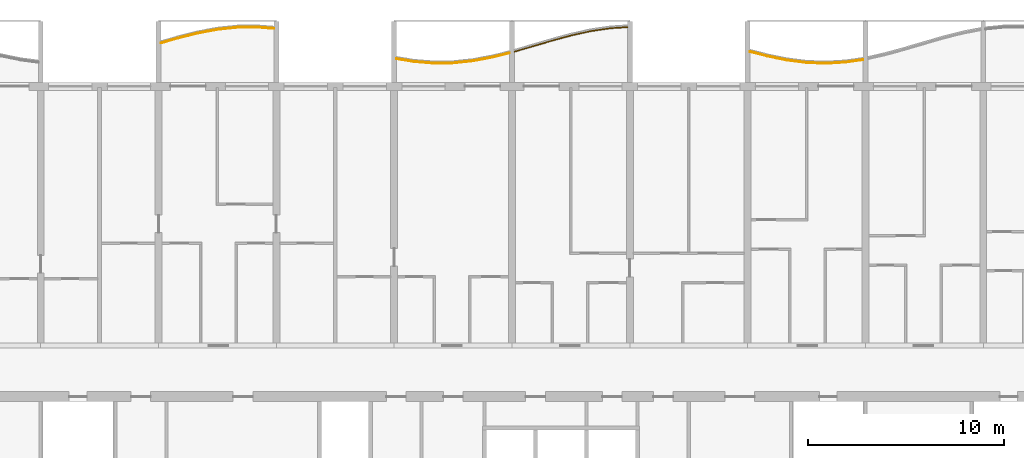
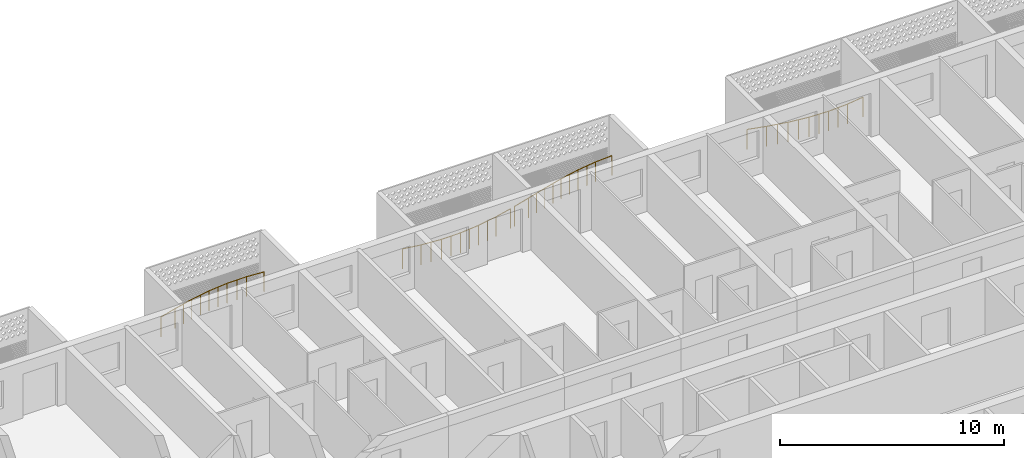
# One storey, part 20 of 27: 4 railings.
"""IFC4 building model written with IfcOpenShell, lengths in metres."""

from ifc_helpers import new_model, si_unit, direction, frame, origin, origin_2d, place, context, subcontext, project, spatial, circle, extrude, material, type_object, element, save


model = new_model("IFC4")

# Units and contexts
model_context = context("Model", 3, precision=1e-05, world=origin(), true_north=direction((0.0, 1.0)))
body_context = subcontext(model_context, "Body", "Model", "MODEL_VIEW")
ifc_project = project(units=[si_unit("LENGTHUNIT", "METRE"), si_unit("AREAUNIT", "SQUARE_METRE"), si_unit("VOLUMEUNIT", "CUBIC_METRE"), si_unit("PLANEANGLEUNIT", "RADIAN"), si_unit("MASSUNIT", "GRAM", prefix="KILO")], contexts=[model_context])

# Site, building, storey
site_placement = place(None, origin())
site = spatial("IfcSite", under=ifc_project, at=site_placement, CompositionType="ELEMENT")
building_placement = place(site_placement, origin())
building = spatial("IfcBuilding", under=site, at=building_placement, Name="Poui Terraces", CompositionType="ELEMENT")
storey_placement = place(building_placement, frame((0.0, 0.0, 92.699951171875)))
storey = spatial("IfcBuildingStorey", under=building, at=storey_placement, Name="L25", CompositionType="ELEMENT", Elevation=92.699951171875)

# Railings
ifc_material = material(Name="Painted steel fretwork", Category="steel")
railing_type = type_object("IfcRailingType", Name="BALCONY GUARD 1100", PredefinedType="GUARDRAIL", material=ifc_material)
railing_1_placement = place(storey_placement, frame((36.125, 45.806396484375, 0.0)))
element("IfcRailing", 1, at=railing_1_placement, inside=storey, type_object=railing_type, Name="BALCONY GUARD", PredefinedType="GUARDRAIL", context=body_context, shape_type="SweptSolid", body=[
    extrude(circle(Radius=0.02392578125, at=origin_2d()), frame((0.0, 0.0, 1.076171875), z_axis=(0.961168944086, 0.275960614806, 0.0), x_axis=(-0.275960614806, 0.961168944086, 0.0)), (0.0, 0.0, 1.0), 0.910400390625),
    extrude(circle(Radius=0.02392578125, at=origin_2d()), frame((0.875, 0.251220703125, 1.076171875), z_axis=(0.969975109493, 0.243204208362, 0.0), x_axis=(-0.243204208362, 0.969975109493, 0.0)), (0.0, 0.0, 1.0), 1.031005859375),
    extrude(circle(Radius=0.02392578125, at=origin_2d()), frame((1.875, 0.501953125, 1.076171875), z_axis=(0.982828697247, 0.184520329146, 0.0), x_axis=(-0.184520329146, 0.982828697247, 0.0)), (0.0, 0.0, 1.0), 1.017578125),
    extrude(circle(Radius=0.02392578125, at=origin_2d()), frame((2.875, 0.689697265625, 1.076171875), z_axis=(0.994509443434, 0.104646867705, 0.0), x_axis=(-0.104646867705, 0.994509443434, 0.0)), (0.0, 0.0, 1.0), 1.005615234375),
    extrude(circle(Radius=0.02392578125, at=origin_2d()), frame((3.875, 0.794921875, 1.076171875), z_axis=(0.999928452303, 0.011962034708, 0.0), x_axis=(-0.011962034708, 0.999928452303, 0.0)), (0.0, 0.0, 1.0), 1.0),
    extrude(circle(Radius=0.02392578125, at=origin_2d()), frame((4.875, 0.806884765625, 1.076171875), z_axis=(0.997047936125, -0.076781593295, 0.0), x_axis=(0.076781593295, 0.997047936125, 0.0)), (0.0, 0.0, 1.0), 0.877685546875),
    extrude(circle(Radius=0.02099609375, at=origin_2d()), origin(), (0.0, 0.0, 1.0), 1.052001953125),
    extrude(circle(Radius=0.02099609375, at=origin_2d()), frame((0.875, 0.251220703125, 0.0)), (0.0, 0.0, 1.0), 1.052001953125),
    extrude(circle(Radius=0.02099609375, at=origin_2d()), frame((1.375, 0.37646484375, 0.0)), (0.0, 0.0, 1.0), 1.052001953125),
    extrude(circle(Radius=0.02099609375, at=origin_2d()), frame((1.875, 0.501953125, 0.0)), (0.0, 0.0, 1.0), 1.052001953125),
    extrude(circle(Radius=0.02099609375, at=origin_2d()), frame((2.375, 0.595703125, 0.0)), (0.0, 0.0, 1.0), 1.052001953125),
    extrude(circle(Radius=0.02099609375, at=origin_2d()), frame((2.875, 0.689697265625, 0.0)), (0.0, 0.0, 1.0), 1.052001953125),
    extrude(circle(Radius=0.02099609375, at=origin_2d()), frame((3.375, 0.7421875, 0.0)), (0.0, 0.0, 1.0), 1.052001953125),
    extrude(circle(Radius=0.02099609375, at=origin_2d()), frame((3.875, 0.794921875, 0.0)), (0.0, 0.0, 1.0), 1.052001953125),
    extrude(circle(Radius=0.02099609375, at=origin_2d()), frame((4.375, 0.80078125, 0.0)), (0.0, 0.0, 1.0), 1.052001953125),
    extrude(circle(Radius=0.02099609375, at=origin_2d()), frame((4.875, 0.806884765625, 0.0)), (0.0, 0.0, 1.0), 1.052001953125),
    extrude(circle(Radius=0.02099609375, at=origin_2d()), frame((5.75, 0.739501953125, 0.0)), (0.0, 0.0, 1.0), 1.052001953125),
])
railing_2_placement = place(storey_placement, frame((48.125, 45.002685546875, 0.0)))
element("IfcRailing", 2, at=railing_2_placement, inside=storey, type_object=railing_type, Name="BALCONY GUARD", PredefinedType="GUARDRAIL", context=body_context, shape_type="SweptSolid", body=[
    extrude(circle(Radius=0.02392578125, at=origin_2d()), frame((0.0, 0.0, 1.076171875), z_axis=(0.986851434927, -0.16162996437, 0.0), x_axis=(0.16162996437, 0.986851434927, 0.0)), (0.0, 0.0, 1.0), 0.88671875),
    extrude(circle(Radius=0.02392578125, at=origin_2d()), frame((0.875, -0.143310546875, 1.076171875), z_axis=(0.996592582512, -0.082481661492, 0.0), x_axis=(0.082481661492, 0.996592582512, 0.0)), (0.0, 0.0, 1.0), 1.00341796875),
    extrude(circle(Radius=0.02392578125, at=origin_2d()), frame((1.875, -0.22607421875, 1.076171875), z_axis=(0.99992550252, 0.012206121857, 0.0), x_axis=(-0.012206121857, 0.99992550252, 0.0)), (0.0, 0.0, 1.0), 1.0),
    extrude(circle(Radius=0.02392578125, at=origin_2d()), frame((2.875, -0.2138671875, 1.076171875), z_axis=(0.994534683851, 0.104406717299, 0.0), x_axis=(-0.104406717299, 0.994534683851, 0.0)), (0.0, 0.0, 1.0), 1.005615234375),
    extrude(circle(Radius=0.02392578125, at=origin_2d()), frame((3.875, -0.10888671875, 1.076171875), z_axis=(0.982828697247, 0.184520329146, 0.0), x_axis=(-0.184520329146, 0.982828697247, 0.0)), (0.0, 0.0, 1.0), 1.017578125),
    extrude(circle(Radius=0.02392578125, at=origin_2d()), frame((4.875, 0.078857421875, 1.076171875), z_axis=(0.970586901308, 0.240751047785, 0.0), x_axis=(-0.240751047785, 0.970586901308, 0.0)), (0.0, 0.0, 1.0), 0.901611328125),
    extrude(circle(Radius=0.02099609375, at=origin_2d()), origin(), (0.0, 0.0, 1.0), 1.052001953125),
    extrude(circle(Radius=0.02099609375, at=origin_2d()), frame((0.875, -0.143310546875, 0.0)), (0.0, 0.0, 1.0), 1.052001953125),
    extrude(circle(Radius=0.02099609375, at=origin_2d()), frame((1.375, -0.1845703125, 0.0)), (0.0, 0.0, 1.0), 1.052001953125),
    extrude(circle(Radius=0.02099609375, at=origin_2d()), frame((1.875, -0.22607421875, 0.0)), (0.0, 0.0, 1.0), 1.052001953125),
    extrude(circle(Radius=0.02099609375, at=origin_2d()), frame((2.375, -0.219970703125, 0.0)), (0.0, 0.0, 1.0), 1.052001953125),
    extrude(circle(Radius=0.02099609375, at=origin_2d()), frame((2.875, -0.2138671875, 0.0)), (0.0, 0.0, 1.0), 1.052001953125),
    extrude(circle(Radius=0.02099609375, at=origin_2d()), frame((3.375, -0.161376953125, 0.0)), (0.0, 0.0, 1.0), 1.052001953125),
    extrude(circle(Radius=0.02099609375, at=origin_2d()), frame((3.875, -0.10888671875, 0.0)), (0.0, 0.0, 1.0), 1.052001953125),
    extrude(circle(Radius=0.02099609375, at=origin_2d()), frame((4.375, -0.01513671875, 0.0)), (0.0, 0.0, 1.0), 1.052001953125),
    extrude(circle(Radius=0.02099609375, at=origin_2d()), frame((4.875, 0.078857421875, 0.0)), (0.0, 0.0, 1.0), 1.052001953125),
    extrude(circle(Radius=0.02099609375, at=origin_2d()), frame((5.75, 0.2958984375, 0.0)), (0.0, 0.0, 1.0), 1.052001953125),
])
railing_3_placement = place(storey_placement, frame((54.125, 45.366943359375, 0.0)))
element("IfcRailing", 3, at=railing_3_placement, inside=storey, type_object=railing_type, Name="BALCONY GUARD", PredefinedType="GUARDRAIL", context=body_context, shape_type="SweptSolid", body=[
    extrude(circle(Radius=0.02392578125, at=origin_2d()), frame((0.0, 0.0, 1.076171875), z_axis=(0.960454941812, 0.278435458857, 0.0), x_axis=(-0.278435458857, 0.960454941812, 0.0)), (0.0, 0.0, 1.0), 0.9111328125),
    extrude(circle(Radius=0.02392578125, at=origin_2d()), frame((0.875, 0.253662109375, 1.076171875), z_axis=(0.958901964879, 0.283737593123, 0.0), x_axis=(-0.283737593123, 0.958901964879, 0.0)), (0.0, 0.0, 1.0), 1.04296875),
    extrude(circle(Radius=0.02392578125, at=origin_2d()), frame((1.875, 0.549560546875, 1.076171875), z_axis=(0.964709448785, 0.263316690367, 0.0), x_axis=(-0.263316690367, 0.964709448785, 0.0)), (0.0, 0.0, 1.0), 1.03662109375),
    extrude(circle(Radius=0.02392578125, at=origin_2d()), frame((2.875, 0.822509765625, 1.076171875), z_axis=(0.976198274393, 0.216879987719, 0.0), x_axis=(-0.216879987719, 0.976198274393, 0.0)), (0.0, 0.0, 1.0), 1.0244140625),
    extrude(circle(Radius=0.02392578125, at=origin_2d()), frame((3.875, 1.044677734375, 1.076171875), z_axis=(0.989196978079, 0.146592423265, 0.0), x_axis=(-0.146592423265, 0.989196978079, 0.0)), (0.0, 0.0, 1.0), 1.010986328125),
    extrude(circle(Radius=0.02392578125, at=origin_2d()), frame((4.875, 1.19287109375, 1.076171875), z_axis=(0.997875386497, 0.065151462176, 0.0), x_axis=(-0.065151462176, 0.997875386497, 0.0)), (0.0, 0.0, 1.0), 0.876953125),
    extrude(circle(Radius=0.02099609375, at=origin_2d()), origin(), (0.0, 0.0, 1.0), 1.052001953125),
    extrude(circle(Radius=0.02099609375, at=origin_2d()), frame((0.875, 0.253662109375, 0.0)), (0.0, 0.0, 1.0), 1.052001953125),
    extrude(circle(Radius=0.02099609375, at=origin_2d()), frame((1.375, 0.401611328125, 0.0)), (0.0, 0.0, 1.0), 1.052001953125),
    extrude(circle(Radius=0.02099609375, at=origin_2d()), frame((1.875, 0.549560546875, 0.0)), (0.0, 0.0, 1.0), 1.052001953125),
    extrude(circle(Radius=0.02099609375, at=origin_2d()), frame((2.375, 0.68603515625, 0.0)), (0.0, 0.0, 1.0), 1.052001953125),
    extrude(circle(Radius=0.02099609375, at=origin_2d()), frame((2.875, 0.822509765625, 0.0)), (0.0, 0.0, 1.0), 1.052001953125),
    extrude(circle(Radius=0.02099609375, at=origin_2d()), frame((3.375, 0.93359375, 0.0)), (0.0, 0.0, 1.0), 1.052001953125),
    extrude(circle(Radius=0.02099609375, at=origin_2d()), frame((3.875, 1.044677734375, 0.0)), (0.0, 0.0, 1.0), 1.052001953125),
    extrude(circle(Radius=0.02099609375, at=origin_2d()), frame((4.375, 1.11865234375, 0.0)), (0.0, 0.0, 1.0), 1.052001953125),
    extrude(circle(Radius=0.02099609375, at=origin_2d()), frame((4.875, 1.19287109375, 0.0)), (0.0, 0.0, 1.0), 1.052001953125),
    extrude(circle(Radius=0.02099609375, at=origin_2d()), frame((5.75, 1.25, 0.0)), (0.0, 0.0, 1.0), 1.052001953125),
])
railing_4_placement = place(storey_placement, frame((66.125, 45.366943359375, 0.0)))
element("IfcRailing", 4, at=railing_4_placement, inside=storey, type_object=railing_type, Name="BALCONY GUARD", PredefinedType="GUARDRAIL", context=body_context, shape_type="SweptSolid", body=[
    extrude(circle(Radius=0.02392578125, at=origin_2d()), frame((0.0, 0.0, 1.076171875), z_axis=(0.967811983713, -0.251674321657, 0.0), x_axis=(0.251674321657, 0.967811983713, 0.0)), (0.0, 0.0, 1.0), 0.904052734375),
    extrude(circle(Radius=0.02392578125, at=origin_2d()), frame((0.875, -0.2275390625, 1.076171875), z_axis=(0.979470932223, -0.201585448209, 0.0), x_axis=(0.201585448209, 0.979470932223, 0.0)), (0.0, 0.0, 1.0), 1.02099609375),
    extrude(circle(Radius=0.02392578125, at=origin_2d()), frame((1.875, -0.433349609375, 1.076171875), z_axis=(0.992007284566, -0.126180614077, 0.0), x_axis=(0.126180614077, 0.992007284566, 0.0)), (0.0, 0.0, 1.0), 1.008056640625),
    extrude(circle(Radius=0.02392578125, at=origin_2d()), frame((2.875, -0.560546875, 1.076171875), z_axis=(0.999365338401, -0.035621909035, 0.0), x_axis=(0.035621909035, 0.999365338401, 0.0)), (0.0, 0.0, 1.0), 1.000732421875),
    extrude(circle(Radius=0.02392578125, at=origin_2d()), frame((3.875, -0.59619140625, 1.076171875), z_axis=(0.998244834412, 0.05922204462, 0.0), x_axis=(-0.05922204462, 0.998244834412, 0.0)), (0.0, 0.0, 1.0), 1.001708984375),
    extrude(circle(Radius=0.02392578125, at=origin_2d()), frame((4.875, -0.536865234375, 1.076171875), z_axis=(0.9898720119, 0.14196267135, 0.0), x_axis=(-0.14196267135, 0.9898720119, 0.0)), (0.0, 0.0, 1.0), 0.884033203125),
    extrude(circle(Radius=0.02099609375, at=origin_2d()), origin(), (0.0, 0.0, 1.0), 1.052001953125),
    extrude(circle(Radius=0.02099609375, at=origin_2d()), frame((0.875, -0.2275390625, 0.0)), (0.0, 0.0, 1.0), 1.052001953125),
    extrude(circle(Radius=0.02099609375, at=origin_2d()), frame((1.375, -0.33056640625, 0.0)), (0.0, 0.0, 1.0), 1.052001953125),
    extrude(circle(Radius=0.02099609375, at=origin_2d()), frame((1.875, -0.433349609375, 0.0)), (0.0, 0.0, 1.0), 1.052001953125),
    extrude(circle(Radius=0.02099609375, at=origin_2d()), frame((2.375, -0.4970703125, 0.0)), (0.0, 0.0, 1.0), 1.052001953125),
    extrude(circle(Radius=0.02099609375, at=origin_2d()), frame((2.875, -0.560546875, 0.0)), (0.0, 0.0, 1.0), 1.052001953125),
    extrude(circle(Radius=0.02099609375, at=origin_2d()), frame((3.375, -0.578369140625, 0.0)), (0.0, 0.0, 1.0), 1.052001953125),
    extrude(circle(Radius=0.02099609375, at=origin_2d()), frame((3.875, -0.59619140625, 0.0)), (0.0, 0.0, 1.0), 1.052001953125),
    extrude(circle(Radius=0.02099609375, at=origin_2d()), frame((4.375, -0.56640625, 0.0)), (0.0, 0.0, 1.0), 1.052001953125),
    extrude(circle(Radius=0.02099609375, at=origin_2d()), frame((4.875, -0.536865234375, 0.0)), (0.0, 0.0, 1.0), 1.052001953125),
    extrude(circle(Radius=0.02099609375, at=origin_2d()), frame((5.75, -0.411376953125, 0.0)), (0.0, 0.0, 1.0), 1.052001953125),
])

save(model, "model.ifc")
